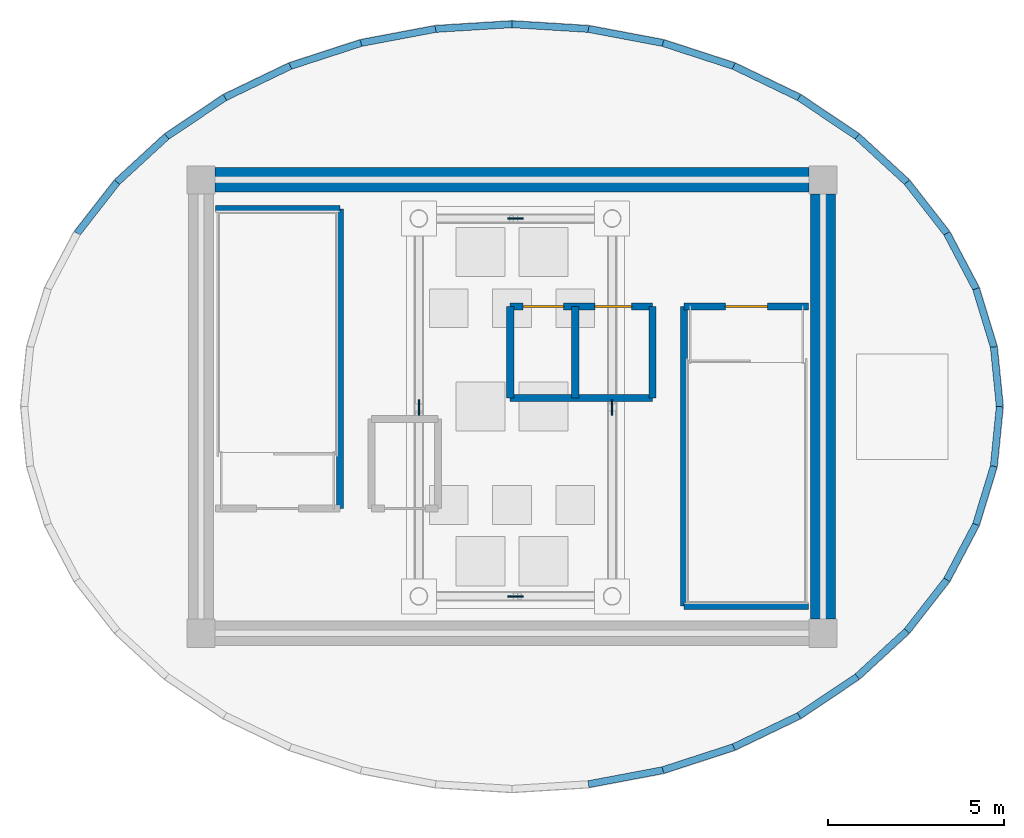
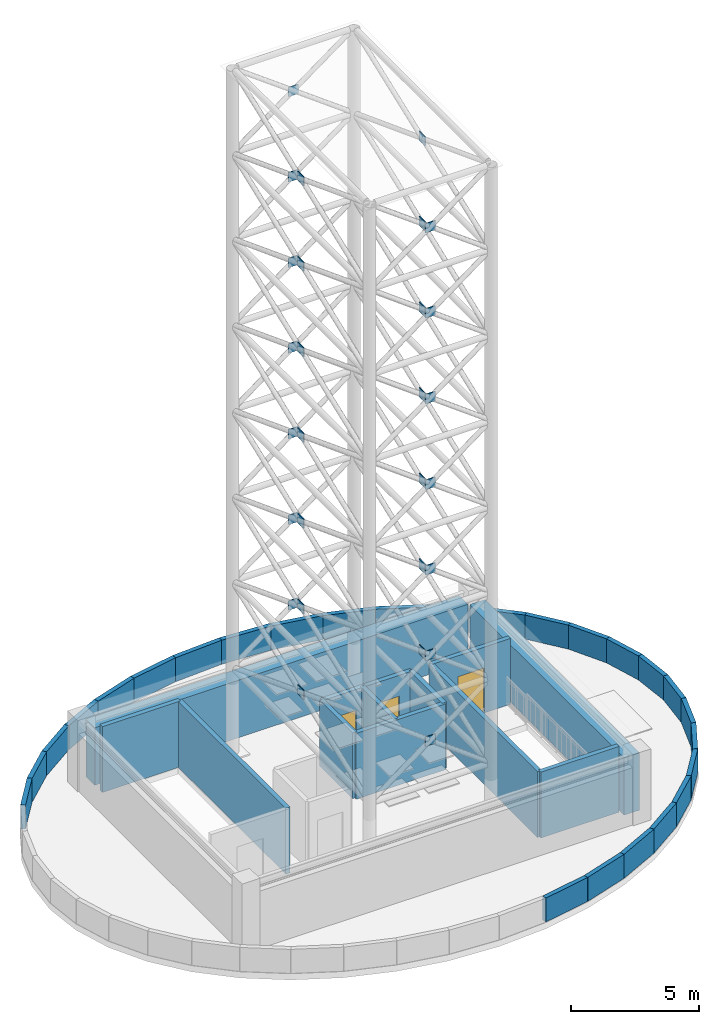
# One storey, part 4 of 6: 38 walls, 28 discrete accessories, 3 doors, 3 openings.
"""IFC4 building model written with IfcOpenShell, lengths in metres."""

from ifc_helpers import new_model, si_unit, direction, frame, frame_2d, origin, origin_2d, place, context, subcontext, project, spatial, rectangle, extrude, source, transform, mapped, material, layer, layer_set, type_object, element, fill, save


model = new_model("IFC4")

# Units and contexts
model_context = context("Model", 3, precision=1e-05, world=origin(), true_north=direction((0.0, 1.0)))
body_context = subcontext(model_context, "Body", "Model", "MODEL_VIEW")
ifc_project = project(units=[si_unit("LENGTHUNIT", "METRE"), si_unit("AREAUNIT", "SQUARE_METRE"), si_unit("VOLUMEUNIT", "CUBIC_METRE"), si_unit("PLANEANGLEUNIT", "RADIAN"), si_unit("MASSUNIT", "GRAM", prefix="KILO")], contexts=[model_context])

# Site, building, storey
site_placement = place(None, origin())
site = spatial("IfcSite", under=ifc_project, at=site_placement, CompositionType="ELEMENT")
building_placement = place(site_placement, origin())
building = spatial("IfcBuilding", under=site, at=building_placement, Name="Linh Dai School and Residence Tower", CompositionType="ELEMENT")
storey_placement = place(building_placement, frame((0.0, 0.0, 373.199951171875)))
storey = spatial("IfcBuildingStorey", under=building, at=storey_placement, Name="RF", CompositionType="ELEMENT", Elevation=373.199951171875)

# Walls
ifc_material_1 = material(Name="Precast Concrete B45 (C35/45)", Category="concrete")
ifc_layer_1 = layer(ifc_material_1, 0.199951171875)
ifc_layer_set_1 = layer_set([ifc_layer_1], Name="Precast Concrete B45 (C35/45)")
wall_type_1 = type_object("IfcWallType", Name="EW-PAR-200", PredefinedType="PARAPET", material=ifc_layer_set_1)
wall_1_placement = place(storey_placement, frame((49.7099609375, 28.697021484375, 0.0), z_axis=(0.0, 0.0, 1.0), x_axis=(0.09963127617, -0.995024426237, 0.0)))
element("IfcWall", 1, at=wall_1_placement, inside=storey, type_object=wall_type_1, Name="RF Roof Perimeter Parapet 01", PredefinedType="PARAPET", context=body_context, shape_type="SweptSolid", body=[
    extrude(rectangle(XDim=1.70556640625, YDim=0.199951171875, at=frame_2d((0.852783203125, 0.0))), origin(), (0.0, 0.0, 1.0), 1.150146484375),
])
wall_2_placement = place(storey_placement, frame((49.203857421875, 30.353271484375, 0.0), z_axis=(0.0, 0.0, 1.0), x_axis=(0.292232861482, -0.956347193581, 0.0)))
element("IfcWall", 2, at=wall_2_placement, inside=storey, type_object=wall_type_1, Name="RF Roof Perimeter Parapet 02", PredefinedType="PARAPET", context=body_context, shape_type="SweptSolid", body=[
    extrude(rectangle(XDim=1.73193359375, YDim=0.199951171875, at=frame_2d((0.865966796875, 0.0))), origin(), (0.0, 0.0, 1.0), 1.150146484375),
])
wall_3_placement = place(storey_placement, frame((48.373291015625, 31.9287109375, 0.0), z_axis=(0.0, 0.0, 1.0), x_axis=(0.466356505191, -0.884596863021, 0.0)))
element("IfcWall", 3, at=wall_3_placement, inside=storey, type_object=wall_type_1, Name="RF Roof Perimeter Parapet 03", PredefinedType="PARAPET", context=body_context, shape_type="SweptSolid", body=[
    extrude(rectangle(XDim=1.781005859375, YDim=0.199951171875, at=frame_2d((0.890625, 0.0))), origin(), (0.0, 0.0, 1.0), 1.150146484375),
])
wall_4_placement = place(storey_placement, frame((47.238037109375, 33.38427734375, 0.0), z_axis=(0.0, 0.0, 1.0), x_axis=(0.615002195504, -0.788525395612, 0.0)))
element("IfcWall", 4, at=wall_4_placement, inside=storey, type_object=wall_type_1, Name="RF Roof Perimeter Parapet 04", PredefinedType="PARAPET", context=body_context, shape_type="SweptSolid", body=[
    extrude(rectangle(XDim=1.845947265625, YDim=0.199951171875, at=frame_2d((0.9228515625, 0.0))), origin(), (0.0, 0.0, 1.0), 1.150146484375),
])
wall_5_placement = place(storey_placement, frame((45.825439453125, 34.683837890625, 0.0), z_axis=(0.0, 0.0, 1.0), x_axis=(0.735938616842, -0.677048264336, 0.0)))
element("IfcWall", 5, at=wall_5_placement, inside=storey, type_object=wall_type_1, Name="RF Roof Perimeter Parapet 05", PredefinedType="PARAPET", context=body_context, shape_type="SweptSolid", body=[
    extrude(rectangle(XDim=1.91943359375, YDim=0.199951171875, at=frame_2d((0.959716796875, 0.0))), origin(), (0.0, 0.0, 1.0), 1.150146484375),
])
wall_6_placement = place(storey_placement, frame((44.16943359375, 35.794921875, 0.0), z_axis=(0.0, 0.0, 1.0), x_axis=(0.830408053817, -0.557155691128, 0.0)))
element("IfcWall", 6, at=wall_6_placement, inside=storey, type_object=wall_type_1, Name="RF Roof Perimeter Parapet 06", PredefinedType="PARAPET", context=body_context, shape_type="SweptSolid", body=[
    extrude(rectangle(XDim=1.994140625, YDim=0.199951171875, at=frame_2d((0.9970703125, 0.0))), origin(), (0.0, 0.0, 1.0), 1.150146484375),
])
wall_7_placement = place(storey_placement, frame((42.311279296875, 36.689697265625, 0.0), z_axis=(0.0, 0.0, 1.0), x_axis=(0.900981104054, -0.43385832957, 0.0)))
element("IfcWall", 7, at=wall_7_placement, inside=storey, type_object=wall_type_1, Name="RF Roof Perimeter Parapet 07", PredefinedType="PARAPET", context=body_context, shape_type="SweptSolid", body=[
    extrude(rectangle(XDim=2.062255859375, YDim=0.199951171875, at=frame_2d((1.03125, 0.0))), origin(), (0.0, 0.0, 1.0), 1.150146484375),
])
wall_8_placement = place(storey_placement, frame((40.296630859375, 37.345458984375, 0.0), z_axis=(0.0, 0.0, 1.0), x_axis=(0.950895094954, -0.309513357374, 0.0)))
element("IfcWall", 8, at=wall_8_placement, inside=storey, type_object=wall_type_1, Name="RF Roof Perimeter Parapet 08", PredefinedType="PARAPET", context=body_context, shape_type="SweptSolid", body=[
    extrude(rectangle(XDim=2.11865234375, YDim=0.199951171875, at=frame_2d((1.059326171875, 0.0))), origin(), (0.0, 0.0, 1.0), 1.150146484375),
])
wall_9_placement = place(storey_placement, frame((38.17529296875, 37.74560546875, 0.0), z_axis=(0.0, 0.0, 1.0), x_axis=(0.982670594351, -0.185360467734, 0.0)))
element("IfcWall", 9, at=wall_9_placement, inside=storey, type_object=wall_type_1, Name="RF Roof Perimeter Parapet 09", PredefinedType="PARAPET", context=body_context, shape_type="SweptSolid", body=[
    extrude(rectangle(XDim=2.15869140625, YDim=0.199951171875, at=frame_2d((1.079345703125, 0.0))), origin(), (0.0, 0.0, 1.0), 1.150146484375),
])
for number, where, z_axis, x_axis, name in (
    (10, (36.0, 37.8798828125, 0.0), (0.0, 0.0, 1.0), (0.998100230056, -0.061611125312, 0.0), "RF Roof Perimeter Parapet 10"),
    (11, (33.82470703125, 37.74560546875, 0.0), (0.0, 0.0, 1.0), (0.998100230056, 0.061611125312, 0.0), "RF Roof Perimeter Parapet 11"),
):
    element("IfcWall", number, at=place(storey_placement, frame(where, z_axis=z_axis, x_axis=x_axis)), inside=storey, type_object=wall_type_1, Name=name, PredefinedType="PARAPET", context=body_context, shape_type="SweptSolid", body=[
        extrude(rectangle(XDim=2.179443359375, YDim=0.199951171875, at=frame_2d((1.08984375, 0.0))), origin(), (0.0, 0.0, 1.0), 1.150146484375),
    ])
wall_10_placement = place(storey_placement, frame((31.703369140625, 37.345458984375, 0.0), z_axis=(0.0, 0.0, 1.0), x_axis=(0.982670594351, 0.185360467734, 0.0)))
element("IfcWall", 12, at=wall_10_placement, inside=storey, type_object=wall_type_1, Name="RF Roof Perimeter Parapet 12", PredefinedType="PARAPET", context=body_context, shape_type="SweptSolid", body=[
    extrude(rectangle(XDim=2.15869140625, YDim=0.199951171875, at=frame_2d((1.079345703125, 0.0))), origin(), (0.0, 0.0, 1.0), 1.150146484375),
])
wall_11_placement = place(storey_placement, frame((29.688720703125, 36.689697265625, 0.0), z_axis=(0.0, 0.0, 1.0), x_axis=(0.950895094954, 0.309513357374, 0.0)))
element("IfcWall", 13, at=wall_11_placement, inside=storey, type_object=wall_type_1, Name="RF Roof Perimeter Parapet 13", PredefinedType="PARAPET", context=body_context, shape_type="SweptSolid", body=[
    extrude(rectangle(XDim=2.11865234375, YDim=0.199951171875, at=frame_2d((1.059326171875, 0.0))), origin(), (0.0, 0.0, 1.0), 1.150146484375),
])
wall_12_placement = place(storey_placement, frame((27.83056640625, 35.794921875, 0.0), z_axis=(0.0, 0.0, 1.0), x_axis=(0.900981104054, 0.43385832957, 0.0)))
element("IfcWall", 14, at=wall_12_placement, inside=storey, type_object=wall_type_1, Name="RF Roof Perimeter Parapet 14", PredefinedType="PARAPET", context=body_context, shape_type="SweptSolid", body=[
    extrude(rectangle(XDim=2.062255859375, YDim=0.199951171875, at=frame_2d((1.03125, 0.0))), origin(), (0.0, 0.0, 1.0), 1.150146484375),
])
wall_13_placement = place(storey_placement, frame((26.174560546875, 34.683837890625, 0.0), z_axis=(0.0, 0.0, 1.0), x_axis=(0.830408053817, 0.557155691128, 0.0)))
element("IfcWall", 15, at=wall_13_placement, inside=storey, type_object=wall_type_1, Name="RF Roof Perimeter Parapet 15", PredefinedType="PARAPET", context=body_context, shape_type="SweptSolid", body=[
    extrude(rectangle(XDim=1.994140625, YDim=0.199951171875, at=frame_2d((0.9970703125, 0.0))), origin(), (0.0, 0.0, 1.0), 1.150146484375),
])
wall_14_placement = place(storey_placement, frame((24.761962890625, 33.38427734375, 0.0), z_axis=(0.0, 0.0, 1.0), x_axis=(0.735938616842, 0.677048264336, 0.0)))
element("IfcWall", 16, at=wall_14_placement, inside=storey, type_object=wall_type_1, Name="RF Roof Perimeter Parapet 16", PredefinedType="PARAPET", context=body_context, shape_type="SweptSolid", body=[
    extrude(rectangle(XDim=1.91943359375, YDim=0.199951171875, at=frame_2d((0.959716796875, 0.0))), origin(), (0.0, 0.0, 1.0), 1.150146484375),
])
wall_15_placement = place(storey_placement, frame((23.626708984375, 31.9287109375, 0.0), z_axis=(0.0, 0.0, 1.0), x_axis=(0.615002195504, 0.788525395612, 0.0)))
element("IfcWall", 17, at=wall_15_placement, inside=storey, type_object=wall_type_1, Name="RF Roof Perimeter Parapet 17", PredefinedType="PARAPET", context=body_context, shape_type="SweptSolid", body=[
    extrude(rectangle(XDim=1.845947265625, YDim=0.199951171875, at=frame_2d((0.9228515625, 0.0))), origin(), (0.0, 0.0, 1.0), 1.150146484375),
])
wall_16_placement = place(storey_placement, frame((40.296630859375, 16.654541015625, 0.0), z_axis=(0.0, 0.0, 1.0), x_axis=(-0.982670594351, -0.185360467734, 0.0)))
element("IfcWall", 18, at=wall_16_placement, inside=storey, type_object=wall_type_1, Name="RF Roof Perimeter Parapet 32", PredefinedType="PARAPET", context=body_context, shape_type="SweptSolid", body=[
    extrude(rectangle(XDim=2.15869140625, YDim=0.199951171875, at=frame_2d((1.079345703125, 0.0))), origin(), (0.0, 0.0, 1.0), 1.150146484375),
])
wall_17_placement = place(storey_placement, frame((42.311279296875, 17.310302734375, 0.0), z_axis=(0.0, 0.0, 1.0), x_axis=(-0.950895094954, -0.309513357374, 0.0)))
element("IfcWall", 19, at=wall_17_placement, inside=storey, type_object=wall_type_1, Name="RF Roof Perimeter Parapet 33", PredefinedType="PARAPET", context=body_context, shape_type="SweptSolid", body=[
    extrude(rectangle(XDim=2.11865234375, YDim=0.199951171875, at=frame_2d((1.059326171875, 0.0))), origin(), (0.0, 0.0, 1.0), 1.150146484375),
])
wall_18_placement = place(storey_placement, frame((44.16943359375, 18.205078125, 0.0), z_axis=(0.0, 0.0, 1.0), x_axis=(-0.900981104054, -0.43385832957, 0.0)))
element("IfcWall", 20, at=wall_18_placement, inside=storey, type_object=wall_type_1, Name="RF Roof Perimeter Parapet 34", PredefinedType="PARAPET", context=body_context, shape_type="SweptSolid", body=[
    extrude(rectangle(XDim=2.062255859375, YDim=0.199951171875, at=frame_2d((1.03125, 0.0))), origin(), (0.0, 0.0, 1.0), 1.150146484375),
])
wall_19_placement = place(storey_placement, frame((45.825439453125, 19.316162109375, 0.0), z_axis=(0.0, 0.0, 1.0), x_axis=(-0.830408053817, -0.557155691128, 0.0)))
element("IfcWall", 21, at=wall_19_placement, inside=storey, type_object=wall_type_1, Name="RF Roof Perimeter Parapet 35", PredefinedType="PARAPET", context=body_context, shape_type="SweptSolid", body=[
    extrude(rectangle(XDim=1.994140625, YDim=0.199951171875, at=frame_2d((0.9970703125, 0.0))), origin(), (0.0, 0.0, 1.0), 1.150146484375),
])
wall_20_placement = place(storey_placement, frame((47.238037109375, 20.61572265625, 0.0), z_axis=(0.0, 0.0, 1.0), x_axis=(-0.735938616842, -0.677048264336, 0.0)))
element("IfcWall", 22, at=wall_20_placement, inside=storey, type_object=wall_type_1, Name="RF Roof Perimeter Parapet 36", PredefinedType="PARAPET", context=body_context, shape_type="SweptSolid", body=[
    extrude(rectangle(XDim=1.91943359375, YDim=0.199951171875, at=frame_2d((0.959716796875, 0.0))), origin(), (0.0, 0.0, 1.0), 1.150146484375),
])
wall_21_placement = place(storey_placement, frame((48.373291015625, 22.0712890625, 0.0), z_axis=(0.0, 0.0, 1.0), x_axis=(-0.615002195504, -0.788525395612, 0.0)))
element("IfcWall", 23, at=wall_21_placement, inside=storey, type_object=wall_type_1, Name="RF Roof Perimeter Parapet 37", PredefinedType="PARAPET", context=body_context, shape_type="SweptSolid", body=[
    extrude(rectangle(XDim=1.845947265625, YDim=0.199951171875, at=frame_2d((0.9228515625, 0.0))), origin(), (0.0, 0.0, 1.0), 1.150146484375),
])
wall_22_placement = place(storey_placement, frame((49.203857421875, 23.646728515625, 0.0), z_axis=(0.0, 0.0, 1.0), x_axis=(-0.466356505191, -0.884596863021, 0.0)))
element("IfcWall", 24, at=wall_22_placement, inside=storey, type_object=wall_type_1, Name="RF Roof Perimeter Parapet 38", PredefinedType="PARAPET", context=body_context, shape_type="SweptSolid", body=[
    extrude(rectangle(XDim=1.781005859375, YDim=0.199951171875, at=frame_2d((0.890625, 0.0))), origin(), (0.0, 0.0, 1.0), 1.150146484375),
])
wall_23_placement = place(storey_placement, frame((49.7099609375, 25.302978515625, 0.0), z_axis=(0.0, 0.0, 1.0), x_axis=(-0.292232861482, -0.956347193581, 0.0)))
element("IfcWall", 25, at=wall_23_placement, inside=storey, type_object=wall_type_1, Name="RF Roof Perimeter Parapet 39", PredefinedType="PARAPET", context=body_context, shape_type="SweptSolid", body=[
    extrude(rectangle(XDim=1.73193359375, YDim=0.199951171875, at=frame_2d((0.865966796875, 0.0))), origin(), (0.0, 0.0, 1.0), 1.150146484375),
])
wall_24_placement = place(storey_placement, frame((49.8798828125, 27.0, 0.0), z_axis=(0.0, 0.0, 1.0), x_axis=(-0.09963127617, -0.995024426237, 0.0)))
element("IfcWall", 26, at=wall_24_placement, inside=storey, type_object=wall_type_1, Name="RF Roof Perimeter Parapet 40", PredefinedType="PARAPET", context=body_context, shape_type="SweptSolid", body=[
    extrude(rectangle(XDim=1.70556640625, YDim=0.199951171875, at=frame_2d((0.852783203125, 0.0))), origin(), (0.0, 0.0, 1.0), 1.150146484375),
])
ifc_material_2 = material(Name="Concrete B45 (C35/45)", Category="concrete")
ifc_layer_2 = layer(ifc_material_2, 0.199951171875)
ifc_layer_set_2 = layer_set([ifc_layer_2], Name="Concrete B45 (C35/45)")
wall_type_2 = type_object("IfcWallType", Name="IW-SHAFT-200-EI120", PredefinedType="PARTITIONING", material=ifc_layer_set_2)
wall_25_placement = place(storey_placement, frame((27.56005859375, 32.6201171875, 0.0), z_axis=(0.0, 0.0, 1.0), x_axis=(1.0, 0.0, 0.0)))
element("IfcWall", 27, at=wall_25_placement, inside=storey, type_object=wall_type_2, Name="RF Interior Partition Wall 002", PredefinedType="PARTITIONING", context=body_context, shape_type="SweptSolid", body=[
    extrude(rectangle(XDim=3.5400390625, YDim=0.199951171875, at=frame_2d((1.77001953125, 0.0))), origin(), (0.0, 0.0, 1.0), 3.150146484375),
])
wall_26_placement = place(storey_placement, frame((31.10009765625, 24.10009765625, 0.0), z_axis=(0.0, 0.0, 1.0), x_axis=(0.0, 1.0, 0.0)))
element("IfcWall", 28, at=wall_26_placement, inside=storey, type_object=wall_type_2, Name="RF Interior Partition Wall 003", PredefinedType="PARTITIONING", context=body_context, shape_type="SweptSolid", body=[
    extrude(rectangle(XDim=8.52001953125, YDim=0.199951171875, at=frame_2d((4.260009765625, 0.0))), origin(), (0.0, 0.0, 1.0), 3.150146484375),
])
wall_27_placement = place(storey_placement, frame((35.949951171875, 27.25, 0.0), z_axis=(0.0, 0.0, 1.0), x_axis=(0.0, 1.0, 0.0)))
element("IfcWall", 29, at=wall_27_placement, inside=storey, type_object=wall_type_2, Name="RF Interior Partition Wall 008", PredefinedType="PARTITIONING", context=body_context, shape_type="SweptSolid", body=[
    extrude(rectangle(XDim=2.60009765625, YDim=0.199951171875, at=frame_2d((1.300048828125, 0.0))), origin(), (0.0, 0.0, 1.0), 3.150146484375),
])
wall_28_placement = place(storey_placement, frame((35.949951171875, 27.25, 0.0), z_axis=(0.0, 0.0, 1.0), x_axis=(1.0, 0.0, 0.0)))
element("IfcWall", 30, at=wall_28_placement, inside=storey, type_object=wall_type_2, Name="RF Interior Partition Wall 009", PredefinedType="PARTITIONING", context=body_context, shape_type="SweptSolid", body=[
    extrude(rectangle(XDim=4.050048828125, YDim=0.199951171875, at=frame_2d((2.02490234375, 0.0))), origin(), (0.0, 0.0, 1.0), 3.150146484375),
])

# Wall, openings, doors
wall_29_placement = place(storey_placement, frame((35.949951171875, 29.85009765625, 0.0), z_axis=(0.0, 0.0, 1.0), x_axis=(1.0, 0.0, 0.0)))
wall_29 = element("IfcWall", 31, at=wall_29_placement, inside=storey, type_object=wall_type_2, Name="RF Interior Partition Wall 010", PredefinedType="PARTITIONING", context=body_context, shape_type="SweptSolid", body=[
    extrude(rectangle(XDim=4.050048828125, YDim=0.199951171875, at=frame_2d((2.02490234375, 0.0))), origin(), (0.0, 0.0, 1.0), 3.150146484375),
])
opening_1_placement = place(wall_29_placement, frame((0.3701171875, 0.0, 0.0)))
opening_1 = element("IfcOpeningElement", 32, at=opening_1_placement, cuts=wall_29, Name="Opening LD-FF1", PredefinedType="OPENING", context=body_context, shape_type="SweptSolid", body=[
    extrude(rectangle(XDim=1.14990234375, YDim=2.14990234375, at=origin_2d()), frame((0.574951171875, 0.10986328125, 1.074951171875), z_axis=(0.0, -1.0, 0.0), x_axis=(1.0, 0.0, 0.0)), (0.0, 0.0, 1.0), 0.219970703125),
])
opening_2_placement = place(wall_29_placement, frame((2.405029296875, 0.0, 0.0)))
opening_2 = element("IfcOpeningElement", 33, at=opening_2_placement, cuts=wall_29, Name="Opening LD-SV1", PredefinedType="OPENING", context=body_context, shape_type="SweptSolid", body=[
    extrude(rectangle(XDim=1.050048828125, YDim=2.14990234375, at=origin_2d()), frame((0.52490234375, 0.10986328125, 1.074951171875), z_axis=(0.0, -1.0, 0.0), x_axis=(1.0, 0.0, 0.0)), (0.0, 0.0, 1.0), 0.219970703125),
])
ifc_material_3 = material(Name="Fire-Rated Stainless Steel Firefighting Lift Door", Category="steel")
door_type_1 = type_object("IfcDoorType", Name="DR-LD-FF-1150x2150-FD120", OperationType="DOUBLE_DOOR_SLIDING", PredefinedType="USERDEFINED", material=ifc_material_3)
shared_shape_1 = source(origin(), body_context, "Body", "SweptSolid", [
    extrude(rectangle(XDim=1.14990234375, YDim=2.14990234375, at=origin_2d()), frame((0.574951171875, 0.02490234375, 1.074951171875), z_axis=(0.0, -1.0, 0.0), x_axis=(1.0, 0.0, 0.0)), (0.0, 0.0, 1.0), 0.050048828125),
])
door_1_placement = place(opening_1_placement, origin())
door_1 = element("IfcDoor", 34, at=door_1_placement, inside=storey, type_object=door_type_1, Name="RF Lift FF1 Sliding Landing Door", ObjectType="LANDING DOOR", OperationType="DOUBLE_DOOR_SLIDING", OverallHeight=2.14990234375, OverallWidth=1.14990234375, PredefinedType="USERDEFINED", context=body_context, shape_type="MappedRepresentation", body=[
    mapped(shared_shape_1, transform((0.0, 0.0, 0.0), x_axis=(1.0, 0.0, 0.0), y_axis=(0.0, 1.0, 0.0), z_axis=(0.0, 0.0, 1.0), scale=1.0)),
])
fill(opening_1, door_1)
ifc_material_4 = material(Name="Brushed Stainless Steel Lift Landing Door", Category="steel")
door_type_2 = type_object("IfcDoorType", Name="DR-LD-PASS-1050x2150", OperationType="DOUBLE_DOOR_SLIDING", PredefinedType="USERDEFINED", material=ifc_material_4)
shared_shape_2 = source(origin(), body_context, "Body", "SweptSolid", [
    extrude(rectangle(XDim=1.050048828125, YDim=2.14990234375, at=origin_2d()), frame((0.52490234375, 0.02490234375, 1.074951171875), z_axis=(0.0, -1.0, 0.0), x_axis=(1.0, 0.0, 0.0)), (0.0, 0.0, 1.0), 0.050048828125),
])
door_2_placement = place(opening_2_placement, origin())
door_2 = element("IfcDoor", 35, at=door_2_placement, inside=storey, type_object=door_type_2, Name="RF Lift SV1 Sliding Landing Door", ObjectType="LANDING DOOR", OperationType="DOUBLE_DOOR_SLIDING", OverallHeight=2.14990234375, OverallWidth=1.050048828125, PredefinedType="USERDEFINED", context=body_context, shape_type="MappedRepresentation", body=[
    mapped(shared_shape_2, transform((0.0, 0.0, 0.0), x_axis=(1.0, 0.0, 0.0), y_axis=(0.0, 1.0, 0.0), z_axis=(0.0, 0.0, 1.0), scale=1.0)),
])
fill(opening_2, door_2)

# Walls
for number, where, z_axis, x_axis, name in (
    (36, (37.800048828125, 27.25, 0.0), (0.0, 0.0, 1.0), (0.0, 1.0, 0.0), "RF Interior Partition Wall 011"),
    (37, (40.0, 27.25, 0.0), (0.0, 0.0, 1.0), (0.0, 1.0, 0.0), "RF Interior Partition Wall 012"),
):
    element("IfcWall", number, at=place(storey_placement, frame(where, z_axis=z_axis, x_axis=x_axis)), inside=storey, type_object=wall_type_2, Name=name, PredefinedType="PARTITIONING", context=body_context, shape_type="SweptSolid", body=[
        extrude(rectangle(XDim=2.60009765625, YDim=0.199951171875, at=frame_2d((1.300048828125, 0.0))), origin(), (0.0, 0.0, 1.0), 3.150146484375),
    ])
wall_30_placement = place(storey_placement, frame((40.89990234375, 21.330078125, 0.0), z_axis=(0.0, 0.0, 1.0), x_axis=(0.0, 1.0, 0.0)))
element("IfcWall", 38, at=wall_30_placement, inside=storey, type_object=wall_type_2, Name="RF Interior Partition Wall 013", PredefinedType="PARTITIONING", context=body_context, shape_type="SweptSolid", body=[
    extrude(rectangle(XDim=8.52001953125, YDim=0.199951171875, at=frame_2d((4.260009765625, 0.0))), origin(), (0.0, 0.0, 1.0), 3.150146484375),
])
wall_31_placement = place(storey_placement, frame((40.89990234375, 21.330078125, 0.0), z_axis=(0.0, 0.0, 1.0), x_axis=(1.0, 0.0, 0.0)))
element("IfcWall", 39, at=wall_31_placement, inside=storey, type_object=wall_type_2, Name="RF Interior Partition Wall 014", PredefinedType="PARTITIONING", context=body_context, shape_type="SweptSolid", body=[
    extrude(rectangle(XDim=3.5400390625, YDim=0.199951171875, at=frame_2d((1.77001953125, 0.0))), origin(), (0.0, 0.0, 1.0), 3.150146484375),
])

# Wall, opening, door
wall_32_placement = place(storey_placement, frame((40.89990234375, 29.85009765625, 0.0), z_axis=(0.0, 0.0, 1.0), x_axis=(1.0, 0.0, 0.0)))
wall_32 = element("IfcWall", 40, at=wall_32_placement, inside=storey, type_object=wall_type_2, Name="RF Interior Partition Wall 015", PredefinedType="PARTITIONING", context=body_context, shape_type="SweptSolid", body=[
    extrude(rectangle(XDim=3.5400390625, YDim=0.199951171875, at=frame_2d((1.77001953125, 0.0))), origin(), (0.0, 0.0, 1.0), 3.150146484375),
])
opening_3_placement = place(wall_32_placement, frame((1.169921875, 0.0, 0.0)))
opening_3 = element("IfcOpeningElement", 41, at=opening_3_placement, cuts=wall_32, Name="Opening D01", PredefinedType="OPENING", context=body_context, shape_type="SweptSolid", body=[
    extrude(rectangle(XDim=1.199951171875, YDim=2.14990234375, at=origin_2d()), frame((0.60009765625, 0.10986328125, 1.074951171875), z_axis=(0.0, -1.0, 0.0), x_axis=(1.0, 0.0, 0.0)), (0.0, 0.0, 1.0), 0.219970703125),
])
ifc_material_5 = material(Name="Fire-Rated Steel Door Leaf", Category="steel")
door_type_3 = type_object("IfcDoorType", Name="DR-STAIR-1200x2150-FD90S", OperationType="NOTDEFINED", PredefinedType="DOOR", material=ifc_material_5)
shared_shape_3 = source(origin(), body_context, "Body", "SweptSolid", [
    extrude(rectangle(XDim=1.199951171875, YDim=2.14990234375, at=origin_2d()), frame((0.60009765625, 0.02490234375, 1.074951171875), z_axis=(0.0, -1.0, 0.0), x_axis=(1.0, 0.0, 0.0)), (0.0, 0.0, 1.0), 0.050048828125),
])
door_3_placement = place(opening_3_placement, origin())
door_3 = element("IfcDoor", 42, at=door_3_placement, inside=storey, type_object=door_type_3, Name="RF Core Smokeproof Exit Stair ST2 Door", OperationType="SINGLE_SWING_RIGHT", OverallHeight=2.14990234375, OverallWidth=1.199951171875, PredefinedType="DOOR", context=body_context, shape_type="MappedRepresentation", body=[
    mapped(shared_shape_3, transform((0.0, 0.0, 0.0), x_axis=(1.0, 0.0, 0.0), y_axis=(0.0, 1.0, 0.0), z_axis=(0.0, 0.0, 1.0), scale=1.0)),
])
fill(opening_3, door_3)

# Walls
ifc_layer_3 = layer(ifc_material_2, 0.699951171875)
ifc_layer_set_3 = layer_set([ifc_layer_3], Name="Concrete B45 (C35/45)")
wall_type_3 = type_object("IfcWallType", Name="WL-CORE700E", PredefinedType="SHEAR", material=ifc_layer_set_3)
wall_33_placement = place(storey_placement, frame((27.550048828125, 33.449951171875, 0.0), z_axis=(0.0, 0.0, 1.0), x_axis=(1.0, 0.0, 0.0)))
element("IfcWall", 43, at=wall_33_placement, inside=storey, type_object=wall_type_3, Name="RF Central Core Shear Wall N", PredefinedType="SHEAR", context=body_context, shape_type="SweptSolid", body=[
    extrude(rectangle(XDim=16.89990234375, YDim=0.699951171875, at=frame_2d((8.449951171875, 0.0))), origin(), (0.0, 0.0, 1.0), 2.75),
])
wall_34_placement = place(storey_placement, frame((44.85009765625, 33.050048828125, 0.0), z_axis=(0.0, 0.0, 1.0), x_axis=(0.0, -1.0, 0.0)))
element("IfcWall", 44, at=wall_34_placement, inside=storey, type_object=wall_type_3, Name="RF Central Core Shear Wall E", PredefinedType="SHEAR", context=body_context, shape_type="SweptSolid", body=[
    extrude(rectangle(XDim=12.10009765625, YDim=0.699951171875, at=frame_2d((6.050048828125, 0.0))), origin(), (0.0, 0.0, 1.0), 2.75),
])

# Discrete accessories
ifc_material_6 = material(Name="Structural Steel S355JR", Category="steel")
discrete_accessory_type = type_object("IfcDiscreteAccessoryType", Name="ACC-MST-XNODE", PredefinedType="BRACKET", material=ifc_material_6)
shared_shape_4 = source(origin(), body_context, "Body", "SweptSolid", [
    extrude(rectangle(XDim=0.449951171875, YDim=0.0400390625, at=origin_2d()), origin(), (0.0, 0.0, 1.0), 0.449951171875),
])
for number, where, z_axis, x_axis, name in (
    (45, (36.10009765625, 21.60009765625, 5.92529296875), (0.0, 0.0, 1.0), (1.0, 0.0, 0.0), "Lattice Broadcast Mast X-Brace Crossing Node Tier 2 Face 1"),
    (46, (38.85009765625, 26.97509765625, 5.92529296875), (0.0, 0.0, 1.0), (0.0, 1.0, 0.0), "Lattice Broadcast Mast X-Brace Crossing Node Tier 2 Face 2"),
    (47, (36.10009765625, 32.35009765625, 5.92529296875), (0.0, 0.0, 1.0), (-1.0, 0.0, 0.0), "Lattice Broadcast Mast X-Brace Crossing Node Tier 2 Face 3"),
    (48, (33.35009765625, 26.97509765625, 5.92529296875), (0.0, 0.0, 1.0), (0.0, -1.0, 0.0), "Lattice Broadcast Mast X-Brace Crossing Node Tier 2 Face 4"),
    (49, (36.10009765625, 21.60009765625, 10.02490234375), (0.0, 0.0, 1.0), (1.0, 0.0, 0.0), "Lattice Broadcast Mast X-Brace Crossing Node Tier 3 Face 1"),
    (50, (38.85009765625, 26.97509765625, 10.02490234375), (0.0, 0.0, 1.0), (0.0, 1.0, 0.0), "Lattice Broadcast Mast X-Brace Crossing Node Tier 3 Face 2"),
    (51, (36.10009765625, 32.35009765625, 10.02490234375), (0.0, 0.0, 1.0), (-1.0, 0.0, 0.0), "Lattice Broadcast Mast X-Brace Crossing Node Tier 3 Face 3"),
    (52, (33.35009765625, 26.97509765625, 10.02490234375), (0.0, 0.0, 1.0), (0.0, -1.0, 0.0), "Lattice Broadcast Mast X-Brace Crossing Node Tier 3 Face 4"),
    (53, (36.10009765625, 21.60009765625, 14.125), (0.0, 0.0, 1.0), (1.0, 0.0, 0.0), "Lattice Broadcast Mast X-Brace Crossing Node Tier 4 Face 1"),
    (54, (38.85009765625, 26.97509765625, 14.125), (0.0, 0.0, 1.0), (0.0, 1.0, 0.0), "Lattice Broadcast Mast X-Brace Crossing Node Tier 4 Face 2"),
    (55, (36.10009765625, 32.35009765625, 14.125), (0.0, 0.0, 1.0), (-1.0, 0.0, 0.0), "Lattice Broadcast Mast X-Brace Crossing Node Tier 4 Face 3"),
    (56, (33.35009765625, 26.97509765625, 14.125), (0.0, 0.0, 1.0), (0.0, -1.0, 0.0), "Lattice Broadcast Mast X-Brace Crossing Node Tier 4 Face 4"),
    (57, (36.10009765625, 21.60009765625, 18.22509765625), (0.0, 0.0, 1.0), (1.0, 0.0, 0.0), "Lattice Broadcast Mast X-Brace Crossing Node Tier 5 Face 1"),
    (58, (38.85009765625, 26.97509765625, 18.22509765625), (0.0, 0.0, 1.0), (0.0, 1.0, 0.0), "Lattice Broadcast Mast X-Brace Crossing Node Tier 5 Face 2"),
    (59, (36.10009765625, 32.35009765625, 18.22509765625), (0.0, 0.0, 1.0), (-1.0, 0.0, 0.0), "Lattice Broadcast Mast X-Brace Crossing Node Tier 5 Face 3"),
    (60, (33.35009765625, 26.97509765625, 18.22509765625), (0.0, 0.0, 1.0), (0.0, -1.0, 0.0), "Lattice Broadcast Mast X-Brace Crossing Node Tier 5 Face 4"),
    (61, (36.10009765625, 21.60009765625, 22.3251953125), (0.0, 0.0, 1.0), (1.0, 0.0, 0.0), "Lattice Broadcast Mast X-Brace Crossing Node Tier 6 Face 1"),
    (62, (38.85009765625, 26.97509765625, 22.3251953125), (0.0, 0.0, 1.0), (0.0, 1.0, 0.0), "Lattice Broadcast Mast X-Brace Crossing Node Tier 6 Face 2"),
    (63, (36.10009765625, 32.35009765625, 22.3251953125), (0.0, 0.0, 1.0), (-1.0, 0.0, 0.0), "Lattice Broadcast Mast X-Brace Crossing Node Tier 6 Face 3"),
    (64, (33.35009765625, 26.97509765625, 22.3251953125), (0.0, 0.0, 1.0), (0.0, -1.0, 0.0), "Lattice Broadcast Mast X-Brace Crossing Node Tier 6 Face 4"),
    (65, (36.10009765625, 21.60009765625, 26.42529296875), (0.0, 0.0, 1.0), (1.0, 0.0, 0.0), "Lattice Broadcast Mast X-Brace Crossing Node Tier 7 Face 1"),
    (66, (38.85009765625, 26.97509765625, 26.42529296875), (0.0, 0.0, 1.0), (0.0, 1.0, 0.0), "Lattice Broadcast Mast X-Brace Crossing Node Tier 7 Face 2"),
    (67, (36.10009765625, 32.35009765625, 26.42529296875), (0.0, 0.0, 1.0), (-1.0, 0.0, 0.0), "Lattice Broadcast Mast X-Brace Crossing Node Tier 7 Face 3"),
    (68, (33.35009765625, 26.97509765625, 26.42529296875), (0.0, 0.0, 1.0), (0.0, -1.0, 0.0), "Lattice Broadcast Mast X-Brace Crossing Node Tier 7 Face 4"),
    (69, (36.10009765625, 21.60009765625, 30.5048828125), (0.0, 0.0, 1.0), (1.0, 0.0, 0.0), "Lattice Broadcast Mast X-Brace Crossing Node Tier 8 Face 1"),
    (70, (38.85009765625, 26.97509765625, 30.5048828125), (0.0, 0.0, 1.0), (0.0, 1.0, 0.0), "Lattice Broadcast Mast X-Brace Crossing Node Tier 8 Face 2"),
    (71, (36.10009765625, 32.35009765625, 30.5048828125), (0.0, 0.0, 1.0), (-1.0, 0.0, 0.0), "Lattice Broadcast Mast X-Brace Crossing Node Tier 8 Face 3"),
    (72, (33.35009765625, 26.97509765625, 30.5048828125), (0.0, 0.0, 1.0), (0.0, -1.0, 0.0), "Lattice Broadcast Mast X-Brace Crossing Node Tier 8 Face 4"),
):
    element("IfcDiscreteAccessory", number, at=place(storey_placement, frame(where, z_axis=z_axis, x_axis=x_axis)), inside=storey, type_object=discrete_accessory_type, Name=name, PredefinedType="BRACKET", context=body_context, shape_type="MappedRepresentation", body=[
        mapped(shared_shape_4, transform((0.0, 0.0, 0.0), x_axis=(1.0, 0.0, 0.0), y_axis=(0.0, 1.0, 0.0), z_axis=(0.0, 0.0, 1.0), scale=1.0)),
    ])

save(model, "model.ifc")
